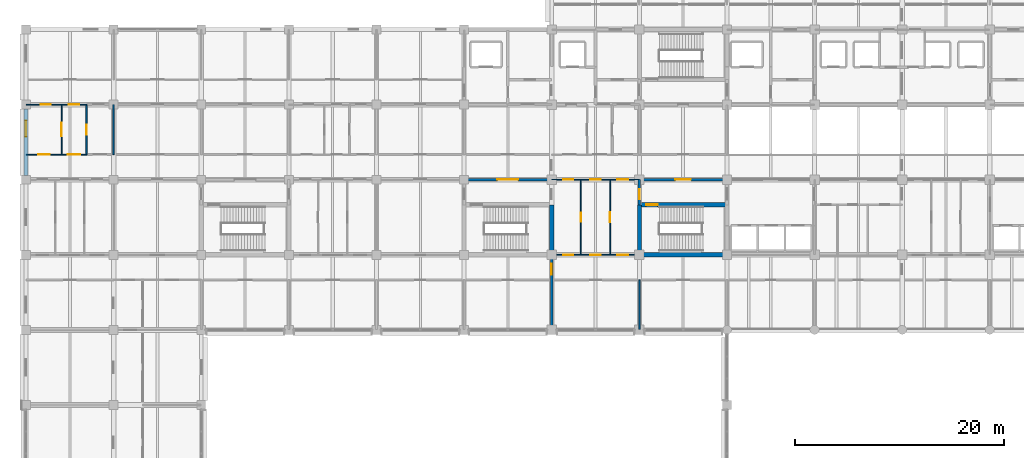
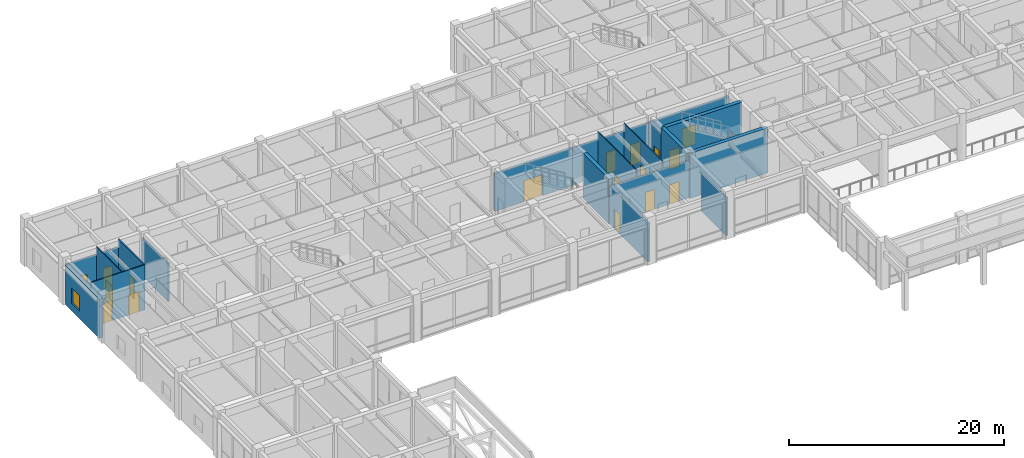
# One storey, part 42 of 68: 19 doors, 19 walls, 1 window, 20 openings.
"""IFC4 building model written with IfcOpenShell, lengths in metres."""

from ifc_helpers import new_model, si_unit, direction, frame, frame_2d, origin, place, context, subcontext, project, spatial, rectangle, extrude, material, layer, layer_set, type_object, element, fill, save


model = new_model("IFC4")

# Units and contexts
model_context = context("Model", 3, precision=1e-05, world=origin(), true_north=direction((0.0, 1.0)))
body_context = subcontext(model_context, "Body", "Model", "MODEL_VIEW")
ifc_project = project(units=[si_unit("LENGTHUNIT", "METRE"), si_unit("AREAUNIT", "SQUARE_METRE"), si_unit("VOLUMEUNIT", "CUBIC_METRE"), si_unit("PLANEANGLEUNIT", "RADIAN"), si_unit("MASSUNIT", "GRAM", prefix="KILO")], contexts=[model_context])

# Site, building, storey
site_placement = place(None, origin())
site = spatial("IfcSite", under=ifc_project, at=site_placement, CompositionType="ELEMENT")
building_placement = place(site_placement, origin())
building = spatial("IfcBuilding", under=site, at=building_placement, Name="Chengyuan Square Courthouse", CompositionType="ELEMENT")
storey_placement = place(building_placement, frame((0.0, 0.0, 5.39990234375)))
storey = spatial("IfcBuildingStorey", under=building, at=storey_placement, Name="L02", CompositionType="ELEMENT", Elevation=5.39990234375)

# Wall, opening, window
ifc_material_1 = material(Name="Concrete C40", Category="concrete")
ifc_layer_1 = layer(ifc_material_1, 0.3798828125)
ifc_layer_set_1 = layer_set([ifc_layer_1], Name="Concrete C40")
wall_type_1 = type_object("IfcWallType", Name="WL-EW1", PredefinedType="STANDARD", material=ifc_layer_set_1)
wall_1_placement = place(storey_placement, frame((0.0, 94.02001953125, 0.0), z_axis=(0.0, 0.0, 1.0), x_axis=(0.0, 1.0, 0.0)))
wall_1 = element("IfcWall", 1, at=wall_1_placement, inside=storey, type_object=wall_type_1, Name="Exterior Wall WL-L02-E213", PredefinedType="STANDARD", context=body_context, shape_type="SweptSolid", body=[
    extrude(rectangle(XDim=6.35986328125, YDim=0.3798828125, at=frame_2d((3.179931640625, 0.0))), origin(), (0.0, 0.0, 1.0), 4.47021484375),
])
opening_1_placement = place(wall_1_placement, frame((3.705078125, 0.0, 0.85009765625)))
opening_1 = element("IfcOpeningElement", 2, at=opening_1_placement, cuts=wall_1, Name="Opening WN-027", PredefinedType="OPENING", context=body_context, shape_type="SweptSolid", body=[
    extrude(rectangle(XDim=1.550048828125, YDim=1.739990234375, at=frame_2d((0.77490234375, 0.8701171875))), frame((0.0, 0.201904296875, 0.0), z_axis=(0.0, -1.0, 0.0), x_axis=(1.0, 0.0, 0.0)), (0.0, 0.0, 1.0), 0.40380859375),
])
ifc_material_2 = material(Name="Thermally Broken Aluminium Triple Low-E Window", Category="aluminium")
window_type = type_object("IfcWindowType", Name="WT-28", PartitioningType="SINGLE_PANEL", PredefinedType="WINDOW", material=ifc_material_2)
window_placement = place(opening_1_placement, origin())
window = element("IfcWindow", 3, at=window_placement, inside=storey, type_object=window_type, Name="Facade Window WN-027", OverallHeight=1.739990234375, OverallWidth=1.550048828125, PartitioningType="SINGLE_PANEL", PredefinedType="WINDOW", context=body_context, shape_type="SweptSolid", body=[
    extrude(rectangle(XDim=1.550048828125, YDim=1.739990234375, at=frame_2d((0.77490234375, 0.8701171875))), frame((0.0, 0.030029296875, 0.0), z_axis=(0.0, -1.0, 0.0), x_axis=(1.0, 0.0, 0.0)), (0.0, 0.0, 1.0), 0.06005859375),
])
fill(opening_1, window)

# Wall, opening, door
ifc_layer_2 = layer(ifc_material_1, 0.25)
ifc_layer_set_2 = layer_set([ifc_layer_2], Name="Concrete C40")
wall_type_2 = type_object("IfcWallType", Name="WL-FW1", PredefinedType="STANDARD", material=ifc_layer_set_2)
wall_2_placement = place(storey_placement, frame((42.0, 93.60009765625, 0.0), z_axis=(0.0, 0.0, 1.0), x_axis=(1.0, 0.0, 0.0)))
wall_2 = element("IfcWall", 4, at=wall_2_placement, inside=storey, type_object=wall_type_2, Name="Interior Wall WL-L02-I1101", PredefinedType="STANDARD", context=body_context, shape_type="SweptSolid", body=[
    extrude(rectangle(XDim=8.39990234375, YDim=0.25, at=frame_2d((4.199951171875, 0.0))), origin(), (0.0, 0.0, 1.0), 4.27001953125),
])
opening_2_placement = place(wall_2_placement, frame((3.1875, 0.0, 0.0)))
opening_2 = element("IfcOpeningElement", 5, at=opening_2_placement, cuts=wall_2, Name="Opening DR-1021", PredefinedType="OPENING", context=body_context, shape_type="SweptSolid", body=[
    extrude(rectangle(XDim=2.0, YDim=2.39990234375, at=frame_2d((1.0, 1.199951171875))), frame((0.0, 0.136962890625, 0.0), z_axis=(0.0, -1.0, 0.0), x_axis=(1.0, 0.0, 0.0)), (0.0, 0.0, 1.0), 0.27392578125),
])
ifc_material_3 = material(Name="Steel Q235B Glazed Fire Door", Category="steel")
door_type_1 = type_object("IfcDoorType", Name="DT-20", OperationType="DOUBLE_DOOR_SINGLE_SWING", PredefinedType="DOOR", material=ifc_material_3)
door_1_placement = place(opening_2_placement, frame((2.0, 0.0, 0.0), z_axis=(0.0, 0.0, 1.0), x_axis=(-1.0, 0.0, 0.0)))
door_1 = element("IfcDoor", 6, at=door_1_placement, inside=storey, type_object=door_type_1, Name="Interior Door DR-1021", OperationType="DOUBLE_DOOR_SINGLE_SWING", OverallHeight=2.39990234375, OverallWidth=2.0, PredefinedType="DOOR", context=body_context, shape_type="SweptSolid", body=[
    extrude(rectangle(XDim=2.0, YDim=2.39990234375, at=frame_2d((1.0, 1.199951171875))), frame((0.0, 0.02490234375, 0.0), z_axis=(0.0, -1.0, 0.0), x_axis=(1.0, 0.0, 0.0)), (0.0, 0.0, 1.0), 0.050048828125),
])
fill(opening_2, door_1)

wall_3_placement = place(storey_placement, frame((58.800048828125, 93.60009765625, 0.0), z_axis=(0.0, 0.0, 1.0), x_axis=(1.0, 0.0, 0.0)))
wall_3 = element("IfcWall", 7, at=wall_3_placement, inside=storey, type_object=wall_type_2, Name="Interior Wall WL-L02-I1103", PredefinedType="STANDARD", context=body_context, shape_type="SweptSolid", body=[
    extrude(rectangle(XDim=8.39990234375, YDim=0.25, at=frame_2d((4.199951171875, 0.0))), origin(), (0.0, 0.0, 1.0), 4.27001953125),
])
opening_3_placement = place(wall_3_placement, frame((3.449951171875, 0.0, 0.0)))
opening_3 = element("IfcOpeningElement", 8, at=opening_3_placement, cuts=wall_3, Name="Opening DR-1016", PredefinedType="OPENING", context=body_context, shape_type="SweptSolid", body=[
    extrude(rectangle(XDim=1.5, YDim=2.25, at=frame_2d((0.75, 1.125))), frame((0.0, 0.136962890625, 0.0), z_axis=(0.0, -1.0, 0.0), x_axis=(1.0, 0.0, 0.0)), (0.0, 0.0, 1.0), 0.27392578125),
])
door_type_2 = type_object("IfcDoorType", Name="DT-19", OperationType="DOUBLE_DOOR_SINGLE_SWING", PredefinedType="DOOR", material=ifc_material_3)
door_2_placement = place(opening_3_placement, frame((1.5, 0.0, 0.0), z_axis=(0.0, 0.0, 1.0), x_axis=(-1.0, 0.0, 0.0)))
door_2 = element("IfcDoor", 9, at=door_2_placement, inside=storey, type_object=door_type_2, Name="Interior Door DR-1016", OperationType="DOUBLE_DOOR_SINGLE_SWING", OverallHeight=2.25, OverallWidth=1.5, PredefinedType="DOOR", context=body_context, shape_type="SweptSolid", body=[
    extrude(rectangle(XDim=1.5, YDim=2.25, at=frame_2d((0.75, 1.125))), frame((0.0, 0.02490234375, 0.0), z_axis=(0.0, -1.0, 0.0), x_axis=(1.0, 0.0, 0.0)), (0.0, 0.0, 1.0), 0.050048828125),
])
fill(opening_3, door_2)

wall_4_placement = place(storey_placement, frame((50.39990234375, 79.239990234375, 0.0), z_axis=(0.0, 0.0, 1.0), x_axis=(0.0, 1.0, 0.0)))
wall_4 = element("IfcWall", 10, at=wall_4_placement, inside=storey, type_object=wall_type_2, Name="Interior Wall WL-L02-I1243", PredefinedType="STANDARD", context=body_context, shape_type="SweptSolid", body=[
    extrude(rectangle(XDim=7.159912109375, YDim=0.25, at=frame_2d((3.580078125, 0.0))), origin(), (0.0, 0.0, 1.0), 4.3701171875),
])
opening_4_placement = place(wall_4_placement, frame((5.22509765625, 0.0, 0.0)))
opening_4 = element("IfcOpeningElement", 11, at=opening_4_placement, cuts=wall_4, Name="Opening DR-1228", PredefinedType="OPENING", context=body_context, shape_type="SweptSolid", body=[
    extrude(rectangle(XDim=1.10009765625, YDim=2.199951171875, at=frame_2d((0.550048828125, 1.10009765625))), frame((0.0, 0.136962890625, 0.0), z_axis=(0.0, -1.0, 0.0), x_axis=(1.0, 0.0, 0.0)), (0.0, 0.0, 1.0), 0.27392578125),
])
ifc_material_4 = material(Name="Steel Q235B Fire Door", Category="steel")
door_type_3 = type_object("IfcDoorType", Name="DT-10", OperationType="NOTDEFINED", PredefinedType="DOOR", material=ifc_material_4)
door_3_placement = place(opening_4_placement, origin())
door_3 = element("IfcDoor", 12, at=door_3_placement, inside=storey, type_object=door_type_3, Name="Interior Door DR-1228", OperationType="SINGLE_SWING_LEFT", OverallHeight=2.199951171875, OverallWidth=1.10009765625, PredefinedType="DOOR", context=body_context, shape_type="SweptSolid", body=[
    extrude(rectangle(XDim=1.10009765625, YDim=2.199951171875, at=frame_2d((0.550048828125, 1.10009765625))), frame((0.0, 0.02490234375, 0.0), z_axis=(0.0, -1.0, 0.0), x_axis=(1.0, 0.0, 0.0)), (0.0, 0.0, 1.0), 0.050048828125),
])
fill(opening_4, door_3)

wall_5_placement = place(storey_placement, frame((58.800048828125, 91.199951171875, 0.0), z_axis=(0.0, 0.0, 1.0), x_axis=(0.0, 1.0, 0.0)))
wall_5 = element("IfcWall", 13, at=wall_5_placement, inside=storey, type_object=wall_type_2, Name="Interior Wall WL-L02-I1257", PredefinedType="STANDARD", context=body_context, shape_type="SweptSolid", body=[
    extrude(rectangle(XDim=2.400146484375, YDim=0.25, at=frame_2d((1.2001953125, 0.0))), origin(), (0.0, 0.0, 1.0), 4.3701171875),
])
opening_5_placement = place(wall_5_placement, frame((0.5400390625, 0.0, 0.0)))
opening_5 = element("IfcOpeningElement", 14, at=opening_5_placement, cuts=wall_5, Name="Opening DR-1017", PredefinedType="OPENING", context=body_context, shape_type="SweptSolid", body=[
    extrude(rectangle(XDim=0.949951171875, YDim=2.14990234375, at=frame_2d((0.47509765625, 1.074951171875))), frame((0.0, 0.136962890625, 0.0), z_axis=(0.0, -1.0, 0.0), x_axis=(1.0, 0.0, 0.0)), (0.0, 0.0, 1.0), 0.27392578125),
])
door_type_4 = type_object("IfcDoorType", Name="DT-12", OperationType="NOTDEFINED", PredefinedType="DOOR", material=ifc_material_4)
door_4_placement = place(opening_5_placement, origin())
door_4 = element("IfcDoor", 15, at=door_4_placement, inside=storey, type_object=door_type_4, Name="Interior Door DR-1017", OperationType="SINGLE_SWING_RIGHT", OverallHeight=2.14990234375, OverallWidth=0.949951171875, PredefinedType="DOOR", context=body_context, shape_type="SweptSolid", body=[
    extrude(rectangle(XDim=0.949951171875, YDim=2.14990234375, at=frame_2d((0.47509765625, 1.074951171875))), frame((0.0, 0.02490234375, 0.0), z_axis=(0.0, -1.0, 0.0), x_axis=(1.0, 0.0, 0.0)), (0.0, 0.0, 1.0), 0.050048828125),
])
fill(opening_5, door_4)

ifc_material_5 = material(Name="Deliberation Room Sound-Insulated Partition")
ifc_layer_3 = layer(ifc_material_5, 0.14990234375)
ifc_layer_set_3 = layer_set([ifc_layer_3], Name="Deliberation Room Sound-Insulated Partition")
wall_type_3 = type_object("IfcWallType", Name="WL-PT3", PredefinedType="STANDARD", material=ifc_layer_set_3)
wall_6_placement = place(storey_placement, frame((5.800048828125, 96.0, 0.0), z_axis=(0.0, 0.0, 1.0), x_axis=(0.0, 1.0, 0.0)))
wall_6 = element("IfcWall", 16, at=wall_6_placement, inside=storey, type_object=wall_type_3, Name="Interior Wall WL-L02-I1203", PredefinedType="STANDARD", context=body_context, shape_type="SweptSolid", body=[
    extrude(rectangle(XDim=4.800048828125, YDim=0.14990234375, at=frame_2d((2.39990234375, 0.0))), origin(), (0.0, 0.0, 1.0), 5.1201171875),
])
opening_6_placement = place(wall_6_placement, frame((1.929931640625, 0.0, 0.0)))
opening_6 = element("IfcOpeningElement", 17, at=opening_6_placement, cuts=wall_6, Name="Opening DR-1166", PredefinedType="OPENING", context=body_context, shape_type="SweptSolid", body=[
    extrude(rectangle(XDim=0.93994140625, YDim=2.300048828125, at=frame_2d((0.469970703125, 1.14990234375))), frame((0.0, 0.0869140625, 0.0), z_axis=(0.0, -1.0, 0.0), x_axis=(1.0, 0.0, 0.0)), (0.0, 0.0, 1.0), 0.173828125),
])
ifc_material_6 = material(Name="Acoustic Solid-Core Timber Door", Category="wood")
door_type_5 = type_object("IfcDoorType", Name="DT-39", OperationType="NOTDEFINED", PredefinedType="DOOR", material=ifc_material_6)
door_5_placement = place(opening_6_placement, origin())
door_5 = element("IfcDoor", 18, at=door_5_placement, inside=storey, type_object=door_type_5, Name="Interior Door DR-1166", OperationType="SINGLE_SWING_LEFT", OverallHeight=2.300048828125, OverallWidth=0.93994140625, PredefinedType="DOOR", context=body_context, shape_type="SweptSolid", body=[
    extrude(rectangle(XDim=0.93994140625, YDim=2.300048828125, at=frame_2d((0.469970703125, 1.14990234375))), frame((0.0, 0.02490234375, 0.0), z_axis=(0.0, -1.0, 0.0), x_axis=(1.0, 0.0, 0.0)), (0.0, 0.0, 1.0), 0.050048828125),
])
fill(opening_6, door_5)

# Walls
wall_7_placement = place(storey_placement, frame((8.39990234375, 96.0, 0.0), z_axis=(0.0, 0.0, 1.0), x_axis=(0.0, 1.0, 0.0)))
element("IfcWall", 19, at=wall_7_placement, inside=storey, type_object=wall_type_3, Name="Interior Wall WL-L02-I1211", PredefinedType="STANDARD", context=body_context, shape_type="SweptSolid", body=[
    extrude(rectangle(XDim=4.800048828125, YDim=0.14990234375, at=frame_2d((2.39990234375, 0.0))), origin(), (0.0, 0.0, 1.0), 4.3701171875),
])
wall_8_placement = place(storey_placement, frame((58.800048828125, 79.239990234375, 0.0), z_axis=(0.0, 0.0, 1.0), x_axis=(0.0, 1.0, 0.0)))
element("IfcWall", 20, at=wall_8_placement, inside=storey, type_object=wall_type_3, Name="Interior Wall WL-L02-I1255", PredefinedType="STANDARD", context=body_context, shape_type="SweptSolid", body=[
    extrude(rectangle(XDim=4.760009765625, YDim=0.14990234375, at=frame_2d((2.3798828125, 0.0))), origin(), (0.0, 0.0, 1.0), 4.3701171875),
])

# Wall, openings, doors
ifc_material_7 = material(Name="Gypsum Plasterboard Acoustic Stud Partition")
ifc_layer_4 = layer(ifc_material_7, 0.10009765625)
ifc_layer_set_4 = layer_set([ifc_layer_4], Name="Gypsum Plasterboard Acoustic Stud Partition")
wall_type_4 = type_object("IfcWallType", Name="WL-PT6", PredefinedType="STANDARD", material=ifc_layer_set_4)
wall_9_placement = place(storey_placement, frame((50.39990234375, 86.39990234375, 0.0), z_axis=(0.0, 0.0, 1.0), x_axis=(1.0, 0.0, 0.0)))
wall_9 = element("IfcWall", 21, at=wall_9_placement, inside=storey, type_object=wall_type_4, Name="Interior Wall WL-L02-I1071", PredefinedType="STANDARD", context=body_context, shape_type="SweptSolid", body=[
    extrude(rectangle(XDim=8.400146484375, YDim=0.10009765625, at=frame_2d((4.2001953125, 0.0))), origin(), (0.0, 0.0, 1.0), 4.27001953125),
])
opening_7_placement = place(wall_9_placement, frame((1.125, 0.0, 0.0)))
opening_7 = element("IfcOpeningElement", 22, at=opening_7_placement, cuts=wall_9, Name="Opening DR-1190", PredefinedType="OPENING", context=body_context, shape_type="SweptSolid", body=[
    extrude(rectangle(XDim=0.919921875, YDim=2.14990234375, at=frame_2d((0.4599609375, 1.074951171875))), frame((0.0, 0.06201171875, 0.0), z_axis=(0.0, -1.0, 0.0), x_axis=(1.0, 0.0, 0.0)), (0.0, 0.0, 1.0), 0.1240234375),
])
opening_8_placement = place(wall_9_placement, frame((3.699951171875, 0.0, 0.0)))
opening_8 = element("IfcOpeningElement", 23, at=opening_8_placement, cuts=wall_9, Name="Opening DR-1192", PredefinedType="OPENING", context=body_context, shape_type="SweptSolid", body=[
    extrude(rectangle(XDim=1.0, YDim=2.25, at=frame_2d((0.5, 1.125))), frame((0.0, 0.06201171875, 0.0), z_axis=(0.0, -1.0, 0.0), x_axis=(1.0, 0.0, 0.0)), (0.0, 0.0, 1.0), 0.1240234375),
])
opening_9_placement = place(wall_9_placement, frame((6.294921875, 0.0, 0.0)))
opening_9 = element("IfcOpeningElement", 24, at=opening_9_placement, cuts=wall_9, Name="Opening DR-1193", PredefinedType="OPENING", context=body_context, shape_type="SweptSolid", body=[
    extrude(rectangle(XDim=1.0400390625, YDim=2.199951171875, at=frame_2d((0.52001953125, 1.10009765625))), frame((0.0, 0.06201171875, 0.0), z_axis=(0.0, -1.0, 0.0), x_axis=(1.0, 0.0, 0.0)), (0.0, 0.0, 1.0), 0.1240234375),
])
door_type_6 = type_object("IfcDoorType", Name="DT-29", OperationType="NOTDEFINED", PredefinedType="DOOR", material=ifc_material_6)
door_6_placement = place(opening_7_placement, origin())
door_6 = element("IfcDoor", 25, at=door_6_placement, inside=storey, type_object=door_type_6, Name="Interior Door DR-1190", OperationType="SINGLE_SWING_LEFT", OverallHeight=2.14990234375, OverallWidth=0.919921875, PredefinedType="DOOR", context=body_context, shape_type="SweptSolid", body=[
    extrude(rectangle(XDim=0.919921875, YDim=2.14990234375, at=frame_2d((0.4599609375, 1.074951171875))), frame((0.0, 0.02490234375, 0.0), z_axis=(0.0, -1.0, 0.0), x_axis=(1.0, 0.0, 0.0)), (0.0, 0.0, 1.0), 0.050048828125),
])
fill(opening_7, door_6)
door_type_7 = type_object("IfcDoorType", Name="DT-31", OperationType="NOTDEFINED", PredefinedType="DOOR", material=ifc_material_6)
door_7_placement = place(opening_8_placement, origin())
door_7 = element("IfcDoor", 26, at=door_7_placement, inside=storey, type_object=door_type_7, Name="Interior Door DR-1192", OperationType="SINGLE_SWING_LEFT", OverallHeight=2.25, OverallWidth=1.0, PredefinedType="DOOR", context=body_context, shape_type="SweptSolid", body=[
    extrude(rectangle(XDim=1.0, YDim=2.25, at=frame_2d((0.5, 1.125))), frame((0.0, 0.02490234375, 0.0), z_axis=(0.0, -1.0, 0.0), x_axis=(1.0, 0.0, 0.0)), (0.0, 0.0, 1.0), 0.050048828125),
])
fill(opening_8, door_7)
door_type_8 = type_object("IfcDoorType", Name="DT-32", OperationType="NOTDEFINED", PredefinedType="DOOR", material=ifc_material_6)
door_8_placement = place(opening_9_placement, origin())
door_8 = element("IfcDoor", 27, at=door_8_placement, inside=storey, type_object=door_type_8, Name="Interior Door DR-1193", OperationType="SINGLE_SWING_RIGHT", OverallHeight=2.199951171875, OverallWidth=1.0400390625, PredefinedType="DOOR", context=body_context, shape_type="SweptSolid", body=[
    extrude(rectangle(XDim=1.0400390625, YDim=2.199951171875, at=frame_2d((0.52001953125, 1.10009765625))), frame((0.0, 0.02490234375, 0.0), z_axis=(0.0, -1.0, 0.0), x_axis=(1.0, 0.0, 0.0)), (0.0, 0.0, 1.0), 0.050048828125),
])
fill(opening_9, door_8)

wall_10_placement = place(storey_placement, frame((50.39990234375, 93.60009765625, 0.0), z_axis=(0.0, 0.0, 1.0), x_axis=(1.0, 0.0, 0.0)))
wall_10 = element("IfcWall", 28, at=wall_10_placement, inside=storey, type_object=wall_type_4, Name="Interior Wall WL-L02-I1102", PredefinedType="STANDARD", context=body_context, shape_type="SweptSolid", body=[
    extrude(rectangle(XDim=8.400146484375, YDim=0.10009765625, at=frame_2d((4.2001953125, 0.0))), origin(), (0.0, 0.0, 1.0), 4.27001953125),
])
opening_10_placement = place(wall_10_placement, frame((1.094970703125, 0.0, 0.0)))
opening_10 = element("IfcOpeningElement", 29, at=opening_10_placement, cuts=wall_10, Name="Opening DR-1133", PredefinedType="OPENING", context=body_context, shape_type="SweptSolid", body=[
    extrude(rectangle(XDim=0.97998046875, YDim=2.35009765625, at=frame_2d((0.489990234375, 1.175048828125))), frame((0.0, 0.06201171875, 0.0), z_axis=(0.0, -1.0, 0.0), x_axis=(1.0, 0.0, 0.0)), (0.0, 0.0, 1.0), 0.1240234375),
])
opening_11_placement = place(wall_10_placement, frame((3.68994140625, 0.0, 0.0)))
opening_11 = element("IfcOpeningElement", 30, at=opening_11_placement, cuts=wall_10, Name="Opening DR-1134", PredefinedType="OPENING", context=body_context, shape_type="SweptSolid", body=[
    extrude(rectangle(XDim=1.02001953125, YDim=2.39990234375, at=frame_2d((0.510009765625, 1.199951171875))), frame((0.0, 0.06201171875, 0.0), z_axis=(0.0, -1.0, 0.0), x_axis=(1.0, 0.0, 0.0)), (0.0, 0.0, 1.0), 0.1240234375),
])
opening_12_placement = place(wall_10_placement, frame((6.284912109375, 0.0, 0.0)))
opening_12 = element("IfcOpeningElement", 31, at=opening_12_placement, cuts=wall_10, Name="Opening DR-1135", PredefinedType="OPENING", context=body_context, shape_type="SweptSolid", body=[
    extrude(rectangle(XDim=1.06005859375, YDim=2.39990234375, at=frame_2d((0.530029296875, 1.199951171875))), frame((0.0, 0.06201171875, 0.0), z_axis=(0.0, -1.0, 0.0), x_axis=(1.0, 0.0, 0.0)), (0.0, 0.0, 1.0), 0.1240234375),
])
door_type_9 = type_object("IfcDoorType", Name="DT-40", OperationType="NOTDEFINED", PredefinedType="DOOR", material=ifc_material_6)
door_9_placement = place(opening_10_placement, origin())
door_9 = element("IfcDoor", 32, at=door_9_placement, inside=storey, type_object=door_type_9, Name="Interior Door DR-1133", OperationType="SINGLE_SWING_LEFT", OverallHeight=2.35009765625, OverallWidth=0.97998046875, PredefinedType="DOOR", context=body_context, shape_type="SweptSolid", body=[
    extrude(rectangle(XDim=0.97998046875, YDim=2.35009765625, at=frame_2d((0.489990234375, 1.175048828125))), frame((0.0, 0.02490234375, 0.0), z_axis=(0.0, -1.0, 0.0), x_axis=(1.0, 0.0, 0.0)), (0.0, 0.0, 1.0), 0.050048828125),
])
fill(opening_10, door_9)
door_type_10 = type_object("IfcDoorType", Name="DT-41", OperationType="NOTDEFINED", PredefinedType="DOOR", material=ifc_material_6)
door_10_placement = place(opening_11_placement, origin())
door_10 = element("IfcDoor", 33, at=door_10_placement, inside=storey, type_object=door_type_10, Name="Interior Door DR-1134", OperationType="SINGLE_SWING_RIGHT", OverallHeight=2.39990234375, OverallWidth=1.02001953125, PredefinedType="DOOR", context=body_context, shape_type="SweptSolid", body=[
    extrude(rectangle(XDim=1.02001953125, YDim=2.39990234375, at=frame_2d((0.510009765625, 1.199951171875))), frame((0.0, 0.02490234375, 0.0), z_axis=(0.0, -1.0, 0.0), x_axis=(1.0, 0.0, 0.0)), (0.0, 0.0, 1.0), 0.050048828125),
])
fill(opening_11, door_10)
door_type_11 = type_object("IfcDoorType", Name="DT-42", OperationType="NOTDEFINED", PredefinedType="DOOR", material=ifc_material_6)
door_11_placement = place(opening_12_placement, origin())
door_11 = element("IfcDoor", 34, at=door_11_placement, inside=storey, type_object=door_type_11, Name="Interior Door DR-1135", OperationType="SINGLE_SWING_LEFT", OverallHeight=2.39990234375, OverallWidth=1.06005859375, PredefinedType="DOOR", context=body_context, shape_type="SweptSolid", body=[
    extrude(rectangle(XDim=1.06005859375, YDim=2.39990234375, at=frame_2d((0.530029296875, 1.199951171875))), frame((0.0, 0.02490234375, 0.0), z_axis=(0.0, -1.0, 0.0), x_axis=(1.0, 0.0, 0.0)), (0.0, 0.0, 1.0), 0.050048828125),
])
fill(opening_12, door_11)

wall_11_placement = place(storey_placement, frame((0.0400390625, 96.0, 0.0), z_axis=(0.0, 0.0, 1.0), x_axis=(1.0, 0.0, 0.0)))
wall_11 = element("IfcWall", 35, at=wall_11_placement, inside=storey, type_object=wall_type_4, Name="Interior Wall WL-L02-I1111", PredefinedType="STANDARD", context=body_context, shape_type="SweptSolid", body=[
    extrude(rectangle(XDim=5.760009765625, YDim=0.10009765625, at=frame_2d((2.8798828125, 0.0))), origin(), (0.0, 0.0, 1.0), 5.1201171875),
])
opening_13_placement = place(wall_11_placement, frame((1.1201171875, 0.0, 0.0)))
opening_13 = element("IfcOpeningElement", 36, at=opening_13_placement, cuts=wall_11, Name="Opening DR-1110", PredefinedType="OPENING", context=body_context, shape_type="SweptSolid", body=[
    extrude(rectangle(XDim=1.1201171875, YDim=2.25, at=frame_2d((0.56005859375, 1.125))), frame((0.0, 0.06201171875, 0.0), z_axis=(0.0, -1.0, 0.0), x_axis=(1.0, 0.0, 0.0)), (0.0, 0.0, 1.0), 0.1240234375),
])
opening_14_placement = place(wall_11_placement, frame((3.97998046875, 0.0, 0.0)))
opening_14 = element("IfcOpeningElement", 37, at=opening_14_placement, cuts=wall_11, Name="Opening DR-1111", PredefinedType="OPENING", context=body_context, shape_type="SweptSolid", body=[
    extrude(rectangle(XDim=1.159912109375, YDim=2.300048828125, at=frame_2d((0.580078125, 1.14990234375))), frame((0.0, 0.06201171875, 0.0), z_axis=(0.0, -1.0, 0.0), x_axis=(1.0, 0.0, 0.0)), (0.0, 0.0, 1.0), 0.1240234375),
])
door_type_12 = type_object("IfcDoorType", Name="DT-34", OperationType="NOTDEFINED", PredefinedType="DOOR", material=ifc_material_6)
door_12_placement = place(opening_13_placement, origin())
door_12 = element("IfcDoor", 38, at=door_12_placement, inside=storey, type_object=door_type_12, Name="Interior Door DR-1110", OperationType="SINGLE_SWING_RIGHT", OverallHeight=2.25, OverallWidth=1.1201171875, PredefinedType="DOOR", context=body_context, shape_type="SweptSolid", body=[
    extrude(rectangle(XDim=1.1201171875, YDim=2.25, at=frame_2d((0.56005859375, 1.125))), frame((0.0, 0.02490234375, 0.0), z_axis=(0.0, -1.0, 0.0), x_axis=(1.0, 0.0, 0.0)), (0.0, 0.0, 1.0), 0.050048828125),
])
fill(opening_13, door_12)
door_type_13 = type_object("IfcDoorType", Name="DT-35", OperationType="NOTDEFINED", PredefinedType="DOOR", material=ifc_material_6)
door_13_placement = place(opening_14_placement, origin())
door_13 = element("IfcDoor", 39, at=door_13_placement, inside=storey, type_object=door_type_13, Name="Interior Door DR-1111", OperationType="SINGLE_SWING_LEFT", OverallHeight=2.300048828125, OverallWidth=1.159912109375, PredefinedType="DOOR", context=body_context, shape_type="SweptSolid", body=[
    extrude(rectangle(XDim=1.159912109375, YDim=2.300048828125, at=frame_2d((0.580078125, 1.14990234375))), frame((0.0, 0.02490234375, 0.0), z_axis=(0.0, -1.0, 0.0), x_axis=(1.0, 0.0, 0.0)), (0.0, 0.0, 1.0), 0.050048828125),
])
fill(opening_14, door_13)

wall_12_placement = place(storey_placement, frame((0.0400390625, 100.800048828125, 0.0), z_axis=(0.0, 0.0, 1.0), x_axis=(1.0, 0.0, 0.0)))
wall_12 = element("IfcWall", 40, at=wall_12_placement, inside=storey, type_object=wall_type_4, Name="Interior Wall WL-L02-I1126", PredefinedType="STANDARD", context=body_context, shape_type="SweptSolid", body=[
    extrude(rectangle(XDim=5.760009765625, YDim=0.10009765625, at=frame_2d((2.8798828125, 0.0))), origin(), (0.0, 0.0, 1.0), 4.27001953125),
])
opening_15_placement = place(wall_12_placement, frame((1.362548828125, 0.0, 0.0)))
opening_15 = element("IfcOpeningElement", 41, at=opening_15_placement, cuts=wall_12, Name="Opening DR-1081", PredefinedType="OPENING", context=body_context, shape_type="SweptSolid", body=[
    extrude(rectangle(XDim=0.93994140625, YDim=2.300048828125, at=frame_2d((0.469970703125, 1.14990234375))), frame((0.0, 0.06201171875, 0.0), z_axis=(0.0, -1.0, 0.0), x_axis=(1.0, 0.0, 0.0)), (0.0, 0.0, 1.0), 0.1240234375),
])
opening_16_placement = place(wall_12_placement, frame((4.070068359375, 0.0, 0.0)))
opening_16 = element("IfcOpeningElement", 42, at=opening_16_placement, cuts=wall_12, Name="Opening DR-1082", PredefinedType="OPENING", context=body_context, shape_type="SweptSolid", body=[
    extrude(rectangle(XDim=0.97998046875, YDim=2.35009765625, at=frame_2d((0.489990234375, 1.175048828125))), frame((0.0, 0.06201171875, 0.0), z_axis=(0.0, -1.0, 0.0), x_axis=(1.0, 0.0, 0.0)), (0.0, 0.0, 1.0), 0.1240234375),
])
door_14_placement = place(opening_15_placement, origin())
door_14 = element("IfcDoor", 43, at=door_14_placement, inside=storey, type_object=door_type_5, Name="Interior Door DR-1081", OperationType="SINGLE_SWING_RIGHT", OverallHeight=2.300048828125, OverallWidth=0.93994140625, PredefinedType="DOOR", context=body_context, shape_type="SweptSolid", body=[
    extrude(rectangle(XDim=0.93994140625, YDim=2.300048828125, at=frame_2d((0.469970703125, 1.14990234375))), frame((0.0, 0.02490234375, 0.0), z_axis=(0.0, -1.0, 0.0), x_axis=(1.0, 0.0, 0.0)), (0.0, 0.0, 1.0), 0.050048828125),
])
fill(opening_15, door_14)
door_15_placement = place(opening_16_placement, origin())
door_15 = element("IfcDoor", 44, at=door_15_placement, inside=storey, type_object=door_type_9, Name="Interior Door DR-1082", OperationType="SINGLE_SWING_LEFT", OverallHeight=2.35009765625, OverallWidth=0.97998046875, PredefinedType="DOOR", context=body_context, shape_type="SweptSolid", body=[
    extrude(rectangle(XDim=0.97998046875, YDim=2.35009765625, at=frame_2d((0.489990234375, 1.175048828125))), frame((0.0, 0.02490234375, 0.0), z_axis=(0.0, -1.0, 0.0), x_axis=(1.0, 0.0, 0.0)), (0.0, 0.0, 1.0), 0.050048828125),
])
fill(opening_16, door_15)

# Wall, opening, door
wall_13_placement = place(storey_placement, frame((3.39990234375, 96.0, 0.0), z_axis=(0.0, 0.0, 1.0), x_axis=(0.0, 1.0, 0.0)))
wall_13 = element("IfcWall", 45, at=wall_13_placement, inside=storey, type_object=wall_type_4, Name="Interior Wall WL-L02-I1200", PredefinedType="STANDARD", context=body_context, shape_type="SweptSolid", body=[
    extrude(rectangle(XDim=4.800048828125, YDim=0.10009765625, at=frame_2d((2.39990234375, 0.0))), origin(), (0.0, 0.0, 1.0), 5.1201171875),
])
opening_17_placement = place(wall_13_placement, frame((1.760009765625, 0.0, 0.0)))
opening_17 = element("IfcOpeningElement", 46, at=opening_17_placement, cuts=wall_13, Name="Opening DR-1165", PredefinedType="OPENING", context=body_context, shape_type="SweptSolid", body=[
    extrude(rectangle(XDim=1.280029296875, YDim=2.35009765625, at=frame_2d((0.64013671875, 1.175048828125))), frame((0.0, 0.06201171875, 0.0), z_axis=(0.0, -1.0, 0.0), x_axis=(1.0, 0.0, 0.0)), (0.0, 0.0, 1.0), 0.1240234375),
])
door_type_14 = type_object("IfcDoorType", Name="DT-38", OperationType="NOTDEFINED", PredefinedType="DOOR", material=ifc_material_6)
door_16_placement = place(opening_17_placement, origin())
door_16 = element("IfcDoor", 47, at=door_16_placement, inside=storey, type_object=door_type_14, Name="Interior Door DR-1165", OperationType="SINGLE_SWING_RIGHT", OverallHeight=2.35009765625, OverallWidth=1.280029296875, PredefinedType="DOOR", context=body_context, shape_type="SweptSolid", body=[
    extrude(rectangle(XDim=1.280029296875, YDim=2.35009765625, at=frame_2d((0.64013671875, 1.175048828125))), frame((0.0, 0.02490234375, 0.0), z_axis=(0.0, -1.0, 0.0), x_axis=(1.0, 0.0, 0.0)), (0.0, 0.0, 1.0), 0.050048828125),
])
fill(opening_17, door_16)

wall_14_placement = place(storey_placement, frame((53.199951171875, 86.39990234375, 0.0), z_axis=(0.0, 0.0, 1.0), x_axis=(0.0, 1.0, 0.0)))
wall_14 = element("IfcWall", 48, at=wall_14_placement, inside=storey, type_object=wall_type_4, Name="Interior Wall WL-L02-I1248", PredefinedType="STANDARD", context=body_context, shape_type="SweptSolid", body=[
    extrude(rectangle(XDim=7.2001953125, YDim=0.10009765625, at=frame_2d((3.60009765625, 0.0))), origin(), (0.0, 0.0, 1.0), 5.1201171875),
])
opening_18_placement = place(wall_14_placement, frame((3.169921875, 0.0, 0.0)))
opening_18 = element("IfcOpeningElement", 49, at=opening_18_placement, cuts=wall_14, Name="Opening DR-1189", PredefinedType="OPENING", context=body_context, shape_type="SweptSolid", body=[
    extrude(rectangle(XDim=0.860107421875, YDim=2.10009765625, at=frame_2d((0.43017578125, 1.050048828125))), frame((0.0, 0.06201171875, 0.0), z_axis=(0.0, -1.0, 0.0), x_axis=(1.0, 0.0, 0.0)), (0.0, 0.0, 1.0), 0.1240234375),
])
door_type_15 = type_object("IfcDoorType", Name="DT-28", OperationType="NOTDEFINED", PredefinedType="DOOR", material=ifc_material_6)
door_17_placement = place(opening_18_placement, origin())
door_17 = element("IfcDoor", 50, at=door_17_placement, inside=storey, type_object=door_type_15, Name="Interior Door DR-1189", OperationType="SINGLE_SWING_RIGHT", OverallHeight=2.10009765625, OverallWidth=0.860107421875, PredefinedType="DOOR", context=body_context, shape_type="SweptSolid", body=[
    extrude(rectangle(XDim=0.860107421875, YDim=2.10009765625, at=frame_2d((0.43017578125, 1.050048828125))), frame((0.0, 0.02490234375, 0.0), z_axis=(0.0, -1.0, 0.0), x_axis=(1.0, 0.0, 0.0)), (0.0, 0.0, 1.0), 0.050048828125),
])
fill(opening_18, door_17)

wall_15_placement = place(storey_placement, frame((56.0, 86.39990234375, 0.0), z_axis=(0.0, 0.0, 1.0), x_axis=(0.0, 1.0, 0.0)))
wall_15 = element("IfcWall", 51, at=wall_15_placement, inside=storey, type_object=wall_type_4, Name="Interior Wall WL-L02-I1253", PredefinedType="STANDARD", context=body_context, shape_type="SweptSolid", body=[
    extrude(rectangle(XDim=7.2001953125, YDim=0.10009765625, at=frame_2d((3.60009765625, 0.0))), origin(), (0.0, 0.0, 1.0), 5.1201171875),
])
opening_19_placement = place(wall_15_placement, frame((3.1201171875, 0.0, 0.0)))
opening_19 = element("IfcOpeningElement", 52, at=opening_19_placement, cuts=wall_15, Name="Opening DR-1191", PredefinedType="OPENING", context=body_context, shape_type="SweptSolid", body=[
    extrude(rectangle(XDim=0.9599609375, YDim=2.199951171875, at=frame_2d((0.47998046875, 1.10009765625))), frame((0.0, 0.06201171875, 0.0), z_axis=(0.0, -1.0, 0.0), x_axis=(1.0, 0.0, 0.0)), (0.0, 0.0, 1.0), 0.1240234375),
])
door_type_16 = type_object("IfcDoorType", Name="DT-30", OperationType="NOTDEFINED", PredefinedType="DOOR", material=ifc_material_6)
door_18_placement = place(opening_19_placement, origin())
door_18 = element("IfcDoor", 53, at=door_18_placement, inside=storey, type_object=door_type_16, Name="Interior Door DR-1191", OperationType="SINGLE_SWING_RIGHT", OverallHeight=2.199951171875, OverallWidth=0.9599609375, PredefinedType="DOOR", context=body_context, shape_type="SweptSolid", body=[
    extrude(rectangle(XDim=0.9599609375, YDim=2.199951171875, at=frame_2d((0.47998046875, 1.10009765625))), frame((0.0, 0.02490234375, 0.0), z_axis=(0.0, -1.0, 0.0), x_axis=(1.0, 0.0, 0.0)), (0.0, 0.0, 1.0), 0.050048828125),
])
fill(opening_19, door_18)

# Wall
ifc_material_8 = material(Name="Concrete C50", Category="concrete")
ifc_layer_5 = layer(ifc_material_8, 0.39990234375)
ifc_layer_set_5 = layer_set([ifc_layer_5], Name="Concrete C50")
wall_type_5 = type_object("IfcWallType", Name="WL-SW1", PredefinedType="SHEAR", material=ifc_layer_set_5)
wall_16_placement = place(storey_placement, frame((58.800048828125, 86.39990234375, 0.0), z_axis=(0.0, 0.0, 1.0), x_axis=(1.0, 0.0, 0.0)))
element("IfcWall", 54, at=wall_16_placement, inside=storey, type_object=wall_type_5, Name="Interior Wall WL-L02-I1072", PredefinedType="SHEAR", context=body_context, shape_type="SweptSolid", body=[
    extrude(rectangle(XDim=8.39990234375, YDim=0.39990234375, at=frame_2d((4.199951171875, 0.0))), origin(), (0.0, 0.0, 1.0), 5.1201171875),
])

# Wall, opening, door
wall_17_placement = place(storey_placement, frame((58.800048828125, 91.199951171875, 0.0), z_axis=(0.0, 0.0, 1.0), x_axis=(1.0, 0.0, 0.0)))
wall_17 = element("IfcWall", 55, at=wall_17_placement, inside=storey, type_object=wall_type_5, Name="Interior Wall WL-L02-I1093", PredefinedType="SHEAR", context=body_context, shape_type="SweptSolid", body=[
    extrude(rectangle(XDim=8.39990234375, YDim=0.39990234375, at=frame_2d((4.199951171875, 0.0))), origin(), (0.0, 0.0, 1.0), 5.1201171875),
])
opening_20_placement = place(wall_17_placement, frame((0.64990234375, 0.0, 0.0)))
opening_20 = element("IfcOpeningElement", 56, at=opening_20_placement, cuts=wall_17, Name="Opening DR-1001", PredefinedType="OPENING", context=body_context, shape_type="SweptSolid", body=[
    extrude(rectangle(XDim=1.10009765625, YDim=2.199951171875, at=frame_2d((0.550048828125, 1.10009765625))), frame((0.0, 0.2119140625, 0.0), z_axis=(0.0, -1.0, 0.0), x_axis=(1.0, 0.0, 0.0)), (0.0, 0.0, 1.0), 0.423828125),
])
door_19_placement = place(opening_20_placement, frame((1.10009765625, 0.0, 0.0), z_axis=(0.0, 0.0, 1.0), x_axis=(-1.0, 0.0, 0.0)))
door_19 = element("IfcDoor", 57, at=door_19_placement, inside=storey, type_object=door_type_3, Name="Smoke-Proof Stairwell Fire Door ST-3 DR-1001", OperationType="SINGLE_SWING_LEFT", OverallHeight=2.199951171875, OverallWidth=1.10009765625, PredefinedType="DOOR", context=body_context, shape_type="SweptSolid", body=[
    extrude(rectangle(XDim=1.10009765625, YDim=2.199951171875, at=frame_2d((0.550048828125, 1.10009765625))), frame((0.0, 0.02490234375, 0.0), z_axis=(0.0, -1.0, 0.0), x_axis=(1.0, 0.0, 0.0)), (0.0, 0.0, 1.0), 0.050048828125),
])
fill(opening_20, door_19)

# Walls
for number, where, z_axis, x_axis, name in (
    (58, (50.39990234375, 86.39990234375, 0.0), (0.0, 0.0, 1.0), (0.0, 1.0, 0.0), "Interior Wall WL-L02-I1244"),
    (59, (58.800048828125, 86.39990234375, 0.0), (0.0, 0.0, 1.0), (0.0, 1.0, 0.0), "Interior Wall WL-L02-I1256"),
):
    element("IfcWall", number, at=place(storey_placement, frame(where, z_axis=z_axis, x_axis=x_axis)), inside=storey, type_object=wall_type_5, Name=name, PredefinedType="SHEAR", context=body_context, shape_type="SweptSolid", body=[
        extrude(rectangle(XDim=4.800048828125, YDim=0.39990234375, at=frame_2d((2.39990234375, 0.0))), origin(), (0.0, 0.0, 1.0), 5.1201171875),
    ])

save(model, "model.ifc")
